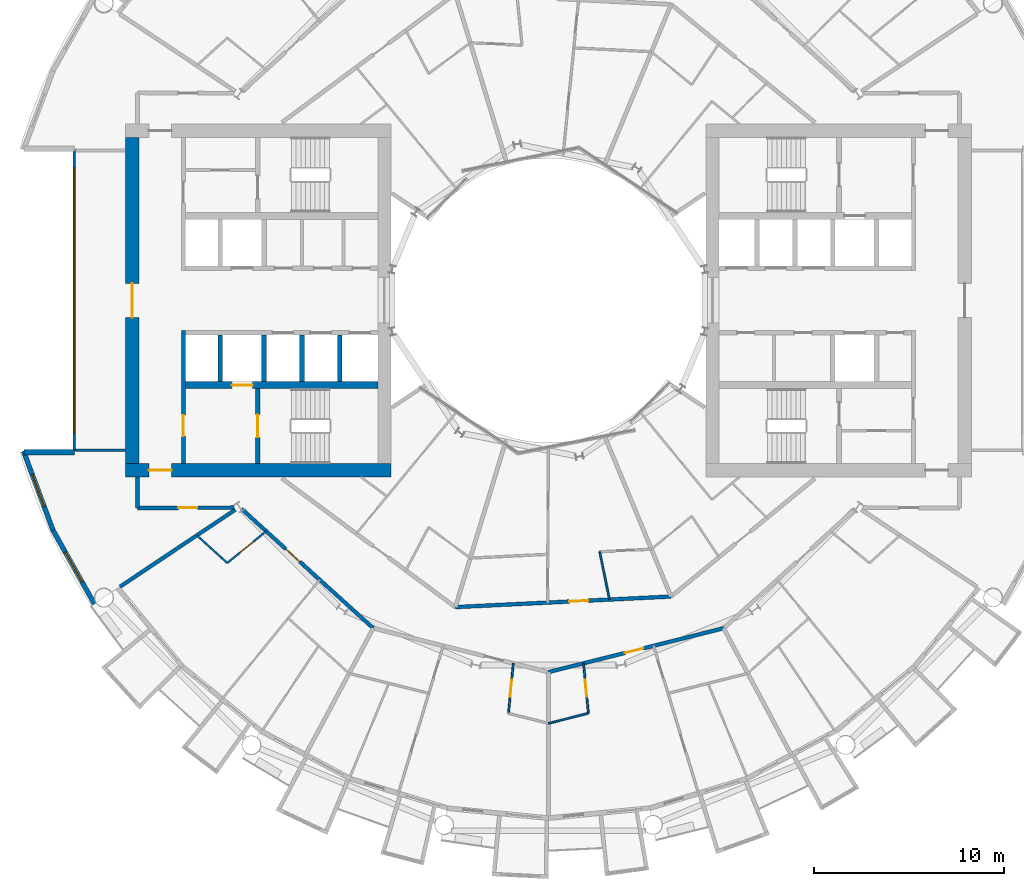
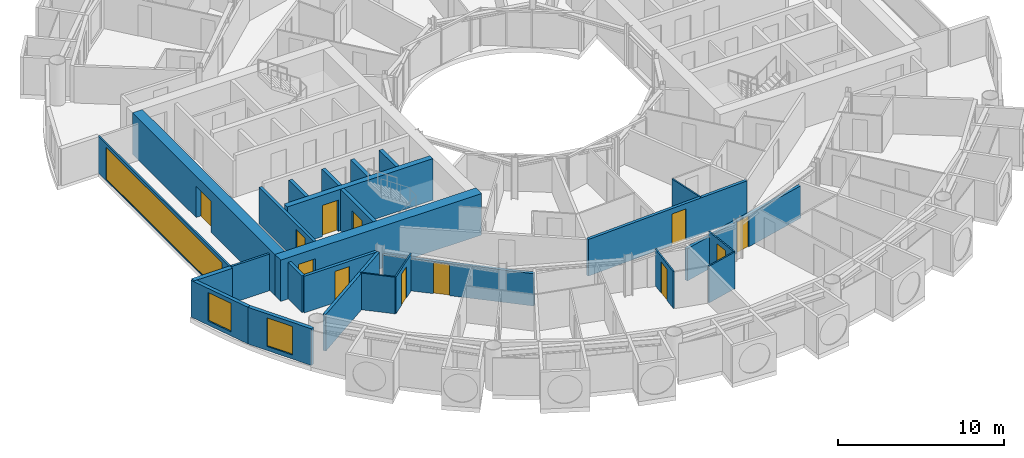
# One storey, part 14 of 26: 26 walls, 12 doors, 3 windows, 15 openings.
"""IFC4 building model written with IfcOpenShell, lengths in metres."""

from ifc_helpers import new_model, si_unit, direction, frame, frame_2d, origin, place, context, subcontext, project, spatial, rectangle, extrude, material, layer, layer_set, type_object, element, fill, save


model = new_model("IFC4")

# Units and contexts
model_context = context("Model", 3, precision=1e-05, world=origin(), true_north=direction((0.0, 1.0)))
body_context = subcontext(model_context, "Body", "Model", "MODEL_VIEW")
ifc_project = project(units=[si_unit("LENGTHUNIT", "METRE"), si_unit("AREAUNIT", "SQUARE_METRE"), si_unit("VOLUMEUNIT", "CUBIC_METRE"), si_unit("PLANEANGLEUNIT", "RADIAN"), si_unit("MASSUNIT", "GRAM", prefix="KILO")], contexts=[model_context])

# Site, building, storey
site_placement = place(None, origin())
site = spatial("IfcSite", under=ifc_project, at=site_placement, CompositionType="ELEMENT")
building_placement = place(site_placement, origin())
building = spatial("IfcBuilding", under=site, at=building_placement, Name="Maasbend Ring Residences", CompositionType="ELEMENT")
storey_placement = place(building_placement, frame((0.0, 0.0, 84.949951171875)))
storey = spatial("IfcBuildingStorey", under=building, at=storey_placement, Name="L24", CompositionType="ELEMENT", Elevation=84.949951171875)

# Wall, opening, door
ifc_material_1 = material(Name="Concrete C70/85", Category="concrete")
ifc_layer_1 = layer(ifc_material_1, 0.25)
ifc_layer_set_1 = layer_set([ifc_layer_1], Name="Concrete C70/85")
wall_type_1 = type_object("IfcWallType", Name="CORE WALL 250 C70/85", PredefinedType="SHEAR", material=ifc_layer_set_1)
wall_1_placement = place(storey_placement, frame((-15.324951171875, -4.64990234375, 0.0), z_axis=(0.0, 0.0, 1.0), x_axis=(0.0, -1.0, 0.0)))
wall_1 = element("IfcWall", 1, at=wall_1_placement, inside=storey, type_object=wall_type_1, Name="L24 core W wall STEN", PredefinedType="SHEAR", context=body_context, shape_type="SweptSolid", body=[
    extrude(rectangle(XDim=3.9501953125, YDim=0.25, at=frame_2d((1.97509765625, 0.0))), origin(), (0.0, 0.0, 1.0), 3.050048828125),
])
opening_1_placement = place(wall_1_placement, frame((1.375, 0.0, 0.0)))
opening_1 = element("IfcOpeningElement", 2, at=opening_1_placement, cuts=wall_1, Name="Opening D-W2410", PredefinedType="OPENING", context=body_context, shape_type="SweptSolid", body=[
    extrude(rectangle(XDim=1.199951171875, YDim=2.300048828125, at=frame_2d((0.60009765625, 1.14990234375))), frame((0.0, 0.135009765625, 0.0), z_axis=(0.0, -1.0, 0.0), x_axis=(1.0, 0.0, 0.0)), (0.0, 0.0, 1.0), 0.27001953125),
])
ifc_material_2 = material(Name="Steel, powder coated", Category="steel")
door_type_1 = type_object("IfcDoorType", Name="STAIR DOOR 1200 X 2300 FD60", OperationType="NOTDEFINED", PredefinedType="DOOR", material=ifc_material_2)
door_1_placement = place(opening_1_placement, origin())
door_1 = element("IfcDoor", 3, at=door_1_placement, inside=storey, type_object=door_type_1, Name="Stair door ST-W L24", OperationType="SINGLE_SWING_LEFT", OverallHeight=2.300048828125, OverallWidth=1.199951171875, PredefinedType="DOOR", context=body_context, shape_type="SweptSolid", body=[
    extrude(rectangle(XDim=1.199951171875, YDim=2.300048828125, at=frame_2d((0.60009765625, 1.14990234375))), frame((0.0, 0.02490234375, 0.0), z_axis=(0.0, -1.0, 0.0), x_axis=(1.0, 0.0, 0.0)), (0.0, 0.0, 1.0), 0.050048828125),
])
fill(opening_1, door_1)

ifc_material_3 = material(Name="Concrete C70/85", Category="concrete")
ifc_layer_2 = layer(ifc_material_3, 0.375)
ifc_layer_set_2 = layer_set([ifc_layer_2], Name="Concrete C70/85")
wall_type_2 = type_object("IfcWallType", Name="CORE WALL 375 C70/85", PredefinedType="SHEAR", material=ifc_layer_set_2)
wall_2_placement = place(storey_placement, frame((-9.0, -4.46240234375, 0.0), z_axis=(0.0, 0.0, 1.0), x_axis=(-1.0, 0.0, 0.0)))
wall_2 = element("IfcWall", 4, at=wall_2_placement, inside=storey, type_object=wall_type_2, Name="L24 core W wall BN", PredefinedType="SHEAR", context=body_context, shape_type="SweptSolid", body=[
    extrude(rectangle(XDim=10.14990234375, YDim=0.375, at=frame_2d((5.074951171875, 0.0))), origin(), (0.0, 0.0, 1.0), 3.050048828125),
])
opening_2_placement = place(wall_2_placement, frame((6.60009765625, 0.0, 0.0)))
opening_2 = element("IfcOpeningElement", 5, at=opening_2_placement, cuts=wall_2, Name="Opening LD-W2404", PredefinedType="OPENING", context=body_context, shape_type="SweptSolid", body=[
    extrude(rectangle(XDim=1.10009765625, YDim=2.300048828125, at=frame_2d((0.550048828125, 1.14990234375))), frame((0.0, 0.197509765625, 0.0), z_axis=(0.0, -1.0, 0.0), x_axis=(1.0, 0.0, 0.0)), (0.0, 0.0, 1.0), 0.39501953125),
])
ifc_material_4 = material(Name="Stainless steel 316", Category="steel")
door_type_2 = type_object("IfcDoorType", Name="LANDING DOOR 1100 X 2300 FD60", OperationType="DOUBLE_DOOR_SLIDING", PredefinedType="DOOR", material=ifc_material_4)
door_2_placement = place(opening_2_placement, origin())
door_2 = element("IfcDoor", 6, at=door_2_placement, inside=storey, type_object=door_type_2, Name="Landing door FF-W L24", OperationType="DOUBLE_DOOR_SLIDING", OverallHeight=2.300048828125, OverallWidth=1.10009765625, PredefinedType="DOOR", context=body_context, shape_type="SweptSolid", body=[
    extrude(rectangle(XDim=1.10009765625, YDim=2.300048828125, at=frame_2d((0.550048828125, 1.14990234375))), frame((0.0, 0.02490234375, 0.0), z_axis=(0.0, -1.0, 0.0), x_axis=(1.0, 0.0, 0.0)), (0.0, 0.0, 1.0), 0.050048828125),
])
fill(opening_2, door_2)

ifc_material_5 = material(Name="Concrete C70/85", Category="concrete")
ifc_layer_3 = layer(ifc_material_5, 0.699951171875)
ifc_layer_set_3 = layer_set([ifc_layer_3], Name="Concrete C70/85")
wall_type_3 = type_object("IfcWallType", Name="CORE WALL 700 C70/85", PredefinedType="SHEAR", material=ifc_layer_set_3)
wall_3_placement = place(storey_placement, frame((-22.300048828125, -8.949951171875, 0.0), z_axis=(0.0, 0.0, 1.0), x_axis=(1.0, 0.0, 0.0)))
wall_3 = element("IfcWall", 7, at=wall_3_placement, inside=storey, type_object=wall_type_3, Name="L24 core W wall PN", PredefinedType="SHEAR", context=body_context, shape_type="SweptSolid", body=[
    extrude(rectangle(XDim=14.0, YDim=0.699951171875, at=frame_2d((7.0, 0.0))), origin(), (0.0, 0.0, 1.0), 3.050048828125),
])
opening_3_placement = place(wall_3_placement, frame((1.22509765625, 0.0, 0.0)))
opening_3 = element("IfcOpeningElement", 8, at=opening_3_placement, cuts=wall_3, Name="Opening D-W2414", PredefinedType="OPENING", context=body_context, shape_type="SweptSolid", body=[
    extrude(rectangle(XDim=1.199951171875, YDim=2.300048828125, at=frame_2d((0.60009765625, 1.14990234375))), frame((0.0, 0.35986328125, 0.0), z_axis=(0.0, -1.0, 0.0), x_axis=(1.0, 0.0, 0.0)), (0.0, 0.0, 1.0), 0.719970703125),
])
ifc_material_6 = material(Name="Steel, powder coated", Category="steel")
door_type_3 = type_object("IfcDoorType", Name="CORRIDOR DOOR 1200 X 2300 FD30S", OperationType="NOTDEFINED", PredefinedType="DOOR", material=ifc_material_6)
door_3_placement = place(opening_3_placement, origin())
door_3 = element("IfcDoor", 9, at=door_3_placement, inside=storey, type_object=door_type_3, Name="Corridor door L24", OperationType="SINGLE_SWING_RIGHT", OverallHeight=2.300048828125, OverallWidth=1.199951171875, PredefinedType="DOOR", context=body_context, shape_type="SweptSolid", body=[
    extrude(rectangle(XDim=1.199951171875, YDim=2.300048828125, at=frame_2d((0.60009765625, 1.14990234375))), frame((0.0, 0.02490234375, 0.0), z_axis=(0.0, -1.0, 0.0), x_axis=(1.0, 0.0, 0.0)), (0.0, 0.0, 1.0), 0.050048828125),
])
fill(opening_3, door_3)

wall_4_placement = place(storey_placement, frame((-21.949951171875, -8.60009765625, 0.0), z_axis=(0.0, 0.0, 1.0), x_axis=(0.0, 1.0, 0.0)))
wall_4 = element("IfcWall", 10, at=wall_4_placement, inside=storey, type_object=wall_type_3, Name="L24 core W wall POUT", PredefinedType="SHEAR", context=body_context, shape_type="SweptSolid", body=[
    extrude(rectangle(XDim=17.2001953125, YDim=0.699951171875, at=frame_2d((8.60009765625, 0.0))), origin(), (0.0, 0.0, 1.0), 3.050048828125),
])
opening_4_placement = place(wall_4_placement, frame((7.699951171875, 0.0, 0.0)))
opening_4 = element("IfcOpeningElement", 11, at=opening_4_placement, cuts=wall_4, Name="Opening D-W2416", PredefinedType="OPENING", context=body_context, shape_type="SweptSolid", body=[
    extrude(rectangle(XDim=1.800048828125, YDim=2.300048828125, at=frame_2d((0.89990234375, 1.14990234375))), frame((0.0, 0.35986328125, 0.0), z_axis=(0.0, -1.0, 0.0), x_axis=(1.0, 0.0, 0.0)), (0.0, 0.0, 1.0), 0.719970703125),
])
ifc_material_7 = material(Name="Aluminium frame, clear glass", Category="aluminium")
door_type_4 = type_object("IfcDoorType", Name="ENTRANCE DOOR 1800 X 2300 FD60", OperationType="NOTDEFINED", PredefinedType="DOOR", material=ifc_material_7)
door_4_placement = place(opening_4_placement, origin())
door_4 = element("IfcDoor", 12, at=door_4_placement, inside=storey, type_object=door_type_4, Name="Lobby glazed door L24", OperationType="SINGLE_SWING_LEFT", OverallHeight=2.300048828125, OverallWidth=1.800048828125, PredefinedType="DOOR", context=body_context, shape_type="SweptSolid", body=[
    extrude(rectangle(XDim=1.800048828125, YDim=2.300048828125, at=frame_2d((0.89990234375, 1.14990234375))), frame((0.0, 0.02490234375, 0.0), z_axis=(0.0, -1.0, 0.0), x_axis=(1.0, 0.0, 0.0)), (0.0, 0.0, 1.0), 0.050048828125),
])
fill(opening_4, door_4)

ifc_material_8 = material(Name="Concrete C30/37", Category="concrete")
ifc_layer_4 = layer(ifc_material_8, 0.199951171875)
ifc_layer_set_4 = layer_set([ifc_layer_4], Name="Concrete C30/37")
wall_type_4 = type_object("IfcWallType", Name="CORRIDOR WALL 200 CONCRETE", PredefinedType="PARTITIONING", material=ifc_layer_set_4)
wall_5_placement = place(storey_placement, frame((-16.178955078125, -10.9951171875, 0.0), z_axis=(0.0, 0.0, 1.0), x_axis=(0.740909940942, -0.671604392044, 0.0)))
wall_5 = element("IfcWall", 13, at=wall_5_placement, inside=storey, type_object=wall_type_4, Name="U-L24-w011", PredefinedType="PARTITIONING", context=body_context, shape_type="SweptSolid", body=[
    extrude(rectangle(XDim=9.36669921875, YDim=0.199951171875, at=frame_2d((4.683349609375, 0.0))), origin(), (0.0, 0.0, 1.0), 2.380126953125),
])
opening_5_placement = place(wall_5_placement, frame((3.152099609375, 0.0, 0.0)))
opening_5 = element("IfcOpeningElement", 14, at=opening_5_placement, cuts=wall_5, Name="Opening D-2433", PredefinedType="OPENING", context=body_context, shape_type="SweptSolid", body=[
    extrude(rectangle(XDim=1.0, YDim=2.300048828125, at=frame_2d((0.5, 1.14990234375))), frame((0.0, 0.10986328125, 0.0), z_axis=(0.0, -1.0, 0.0), x_axis=(1.0, 0.0, 0.0)), (0.0, 0.0, 1.0), 0.219970703125),
])
ifc_material_9 = material(Name="Timber, fire-rated, painted", Category="wood")
door_type_5 = type_object("IfcDoorType", Name="FLAT ENTRANCE DOOR 1000 X 2300 FIRE-RATED", OperationType="NOTDEFINED", PredefinedType="DOOR", material=ifc_material_9)
door_5_placement = place(opening_5_placement, origin())
door_5 = element("IfcDoor", 15, at=door_5_placement, inside=storey, type_object=door_type_5, Name="D-2433", OperationType="SINGLE_SWING_LEFT", OverallHeight=2.300048828125, OverallWidth=1.0, PredefinedType="DOOR", context=body_context, shape_type="SweptSolid", body=[
    extrude(rectangle(XDim=1.0, YDim=2.300048828125, at=frame_2d((0.5, 1.14990234375))), frame((0.0, 0.02490234375, 0.0), z_axis=(0.0, -1.0, 0.0), x_axis=(1.0, 0.0, 0.0)), (0.0, 0.0, 1.0), 0.050048828125),
])
fill(opening_5, door_5)

wall_6_placement = place(storey_placement, frame((0.0, -19.60009765625, 0.0), z_axis=(0.0, 0.0, 1.0), x_axis=(0.970002158938, 0.243096301198, 0.0)))
wall_6 = element("IfcWall", 16, at=wall_6_placement, inside=storey, type_object=wall_type_4, Name="U-L24-w013", PredefinedType="PARTITIONING", context=body_context, shape_type="SweptSolid", body=[
    extrude(rectangle(XDim=9.52783203125, YDim=0.199951171875, at=frame_2d((4.763916015625, 0.0))), origin(), (0.0, 0.0, 1.0), 2.380126953125),
])
opening_6_placement = place(wall_6_placement, frame((4.155029296875, 0.0, 0.0)))
opening_6 = element("IfcOpeningElement", 17, at=opening_6_placement, cuts=wall_6, Name="Opening D-2443", PredefinedType="OPENING", context=body_context, shape_type="SweptSolid", body=[
    extrude(rectangle(XDim=1.0, YDim=2.300048828125, at=frame_2d((0.5, 1.14990234375))), frame((0.0, 0.10986328125, 0.0), z_axis=(0.0, -1.0, 0.0), x_axis=(1.0, 0.0, 0.0)), (0.0, 0.0, 1.0), 0.219970703125),
])
door_6_placement = place(opening_6_placement, origin())
door_6 = element("IfcDoor", 18, at=door_6_placement, inside=storey, type_object=door_type_5, Name="D-2443", OperationType="SINGLE_SWING_LEFT", OverallHeight=2.300048828125, OverallWidth=1.0, PredefinedType="DOOR", context=body_context, shape_type="SweptSolid", body=[
    extrude(rectangle(XDim=1.0, YDim=2.300048828125, at=frame_2d((0.5, 1.14990234375))), frame((0.0, 0.02490234375, 0.0), z_axis=(0.0, -1.0, 0.0), x_axis=(1.0, 0.0, 0.0)), (0.0, 0.0, 1.0), 0.050048828125),
])
fill(opening_6, door_6)

wall_7_placement = place(storey_placement, frame((-4.906005859375, -16.172119140625, 0.0), z_axis=(0.0, 0.0, 1.0), x_axis=(0.998798520108, 0.049005267363, 0.0)))
wall_7 = element("IfcWall", 19, at=wall_7_placement, inside=storey, type_object=wall_type_4, Name="U-L24-w017", PredefinedType="PARTITIONING", context=body_context, shape_type="SweptSolid", body=[
    extrude(rectangle(XDim=11.388671875, YDim=0.199951171875, at=frame_2d((5.6943359375, 0.0))), origin(), (0.0, 0.0, 1.0), 2.699951171875),
])
opening_7_placement = place(wall_7_placement, frame((6.008056640625, 0.0, 0.0)))
opening_7 = element("IfcOpeningElement", 20, at=opening_7_placement, cuts=wall_7, Name="Opening D-2457", PredefinedType="OPENING", context=body_context, shape_type="SweptSolid", body=[
    extrude(rectangle(XDim=1.0, YDim=2.300048828125, at=frame_2d((0.5, 1.14990234375))), frame((0.0, 0.10986328125, 0.0), z_axis=(0.0, -1.0, 0.0), x_axis=(1.0, 0.0, 0.0)), (0.0, 0.0, 1.0), 0.219970703125),
])
door_7_placement = place(opening_7_placement, origin())
door_7 = element("IfcDoor", 21, at=door_7_placement, inside=storey, type_object=door_type_5, Name="D-2457", OperationType="SINGLE_SWING_RIGHT", OverallHeight=2.300048828125, OverallWidth=1.0, PredefinedType="DOOR", context=body_context, shape_type="SweptSolid", body=[
    extrude(rectangle(XDim=1.0, YDim=2.300048828125, at=frame_2d((0.5, 1.14990234375))), frame((0.0, 0.02490234375, 0.0), z_axis=(0.0, -1.0, 0.0), x_axis=(1.0, 0.0, 0.0)), (0.0, 0.0, 1.0), 0.050048828125),
])
fill(opening_7, door_7)

wall_8_placement = place(storey_placement, frame((-21.675048828125, -10.949951171875, 0.0), z_axis=(0.0, 0.0, 1.0), x_axis=(0.999988019025, 0.004895079807, 0.0)))
wall_8 = element("IfcWall", 22, at=wall_8_placement, inside=storey, type_object=wall_type_4, Name="U-L24-w024", PredefinedType="PARTITIONING", context=body_context, shape_type="SweptSolid", body=[
    extrude(rectangle(XDim=5.087158203125, YDim=0.199951171875, at=frame_2d((2.54345703125, 0.0))), origin(), (0.0, 0.0, 1.0), 2.699951171875),
])
opening_8_placement = place(wall_8_placement, frame((2.1630859375, 0.0, 0.0)))
opening_8 = element("IfcOpeningElement", 23, at=opening_8_placement, cuts=wall_8, Name="Opening D-2465", PredefinedType="OPENING", context=body_context, shape_type="SweptSolid", body=[
    extrude(rectangle(XDim=1.0, YDim=2.300048828125, at=frame_2d((0.5, 1.14990234375))), frame((0.0, 0.10986328125, 0.0), z_axis=(0.0, -1.0, 0.0), x_axis=(1.0, 0.0, 0.0)), (0.0, 0.0, 1.0), 0.219970703125),
])
ifc_material_10 = material(Name="Timber, painted", Category="wood")
door_type_6 = type_object("IfcDoorType", Name="ROOM DOOR 1000 X 2300", OperationType="NOTDEFINED", PredefinedType="DOOR", material=ifc_material_10)
door_8_placement = place(opening_8_placement, origin())
door_8 = element("IfcDoor", 24, at=door_8_placement, inside=storey, type_object=door_type_6, Name="D-2465", OperationType="SINGLE_SWING_RIGHT", OverallHeight=2.300048828125, OverallWidth=1.0, PredefinedType="DOOR", context=body_context, shape_type="SweptSolid", body=[
    extrude(rectangle(XDim=1.0, YDim=2.300048828125, at=frame_2d((0.5, 1.14990234375))), frame((0.0, 0.02490234375, 0.0), z_axis=(0.0, -1.0, 0.0), x_axis=(1.0, 0.0, 0.0)), (0.0, 0.0, 1.0), 0.050048828125),
])
fill(opening_8, door_8)

# Wall
wall_9_placement = place(storey_placement, frame((-21.675048828125, -10.949951171875, 0.0), z_axis=(0.0, 0.0, 1.0), x_axis=(0.0, 1.0, 0.0)))
element("IfcWall", 25, at=wall_9_placement, inside=storey, type_object=wall_type_4, Name="U-L24-w107", PredefinedType="PARTITIONING", context=body_context, shape_type="SweptSolid", body=[
    extrude(rectangle(XDim=1.64990234375, YDim=0.199951171875, at=frame_2d((0.824951171875, 0.0))), origin(), (0.0, 0.0, 1.0), 2.699951171875),
])

# Wall, opening, window
ifc_material_11 = material(Name="Aluminium clad insulated panel", Category="aluminium")
ifc_layer_5 = layer(ifc_material_11, 0.25)
ifc_layer_set_5 = layer_set([ifc_layer_5], Name="EW-HORN")
wall_type_5 = type_object("IfcWallType", Name="EW-HORN", PredefinedType="SOLIDWALL", material=ifc_layer_set_5)
wall_10_placement = place(storey_placement, frame((-27.681884765625, -7.945068359375, 0.0), z_axis=(0.0, 0.0, 1.0), x_axis=(0.349247811493, -0.937030397675, 0.0)))
wall_10 = element("IfcWall", 26, at=wall_10_placement, inside=storey, type_object=wall_type_5, Name="Horn wall 3.1", PredefinedType="SOLIDWALL", context=body_context, shape_type="SweptSolid", body=[
    extrude(rectangle(XDim=4.4521484375, YDim=0.25, at=frame_2d((2.22607421875, 0.0))), origin(), (0.0, 0.0, 1.0), 2.699951171875),
])
opening_9_placement = place(wall_10_placement, frame((1.32666015625, 0.0, 0.300048828125)))
opening_9 = element("IfcOpeningElement", 27, at=opening_9_placement, cuts=wall_10, Name="Opening W-BX", PredefinedType="OPENING", context=body_context, shape_type="SweptSolid", body=[
    extrude(rectangle(XDim=1.800048828125, YDim=2.10009765625, at=frame_2d((0.89990234375, 1.050048828125))), frame((0.0, 0.135009765625, 0.0), z_axis=(0.0, -1.0, 0.0), x_axis=(1.0, 0.0, 0.0)), (0.0, 0.0, 1.0), 0.27001953125),
])
ifc_material_12 = material(Name="Aluminium and clear glass", Category="aluminium")
window_type_1 = type_object("IfcWindowType", Name="W-BX", PartitioningType="DOUBLE_PANEL_VERTICAL", PredefinedType="WINDOW", material=ifc_material_12)
window_1_placement = place(opening_9_placement, origin())
window_1 = element("IfcWindow", 28, at=window_1_placement, inside=storey, type_object=window_type_1, Name="Horn window 3.1", OverallHeight=2.10009765625, OverallWidth=1.800048828125, PartitioningType="SINGLE_PANEL", PredefinedType="WINDOW", context=body_context, shape_type="SweptSolid", body=[
    extrude(rectangle(XDim=1.800048828125, YDim=2.10009765625, at=frame_2d((0.89990234375, 1.050048828125))), frame((0.0, 0.030029296875, 0.0), z_axis=(0.0, -1.0, 0.0), x_axis=(1.0, 0.0, 0.0)), (0.0, 0.0, 1.0), 0.06005859375),
])
fill(opening_9, window_1)

wall_11_placement = place(storey_placement, frame((-26.126953125, -12.116943359375, 0.0), z_axis=(0.0, 0.0, 1.0), x_axis=(0.489696356642, -0.871893042919, 0.0)))
wall_11 = element("IfcWall", 29, at=wall_11_placement, inside=storey, type_object=wall_type_5, Name="Horn wall 3.2", PredefinedType="SOLIDWALL", context=body_context, shape_type="SweptSolid", body=[
    extrude(rectangle(XDim=4.45361328125, YDim=0.25, at=frame_2d((2.226806640625, 0.0))), origin(), (0.0, 0.0, 1.0), 2.699951171875),
])
opening_10_placement = place(wall_11_placement, frame((1.32666015625, 0.0, 0.300048828125)))
opening_10 = element("IfcOpeningElement", 30, at=opening_10_placement, cuts=wall_11, Name="Opening W-BX", PredefinedType="OPENING", context=body_context, shape_type="SweptSolid", body=[
    extrude(rectangle(XDim=1.800048828125, YDim=2.10009765625, at=frame_2d((0.89990234375, 1.050048828125))), frame((0.0, 0.135009765625, 0.0), z_axis=(0.0, -1.0, 0.0), x_axis=(1.0, 0.0, 0.0)), (0.0, 0.0, 1.0), 0.27001953125),
])
window_2_placement = place(opening_10_placement, origin())
window_2 = element("IfcWindow", 31, at=window_2_placement, inside=storey, type_object=window_type_1, Name="Horn window 3.2", OverallHeight=2.10009765625, OverallWidth=1.800048828125, PartitioningType="SINGLE_PANEL", PredefinedType="WINDOW", context=body_context, shape_type="SweptSolid", body=[
    extrude(rectangle(XDim=1.800048828125, YDim=2.10009765625, at=frame_2d((0.89990234375, 1.050048828125))), frame((0.0, 0.030029296875, 0.0), z_axis=(0.0, -1.0, 0.0), x_axis=(1.0, 0.0, 0.0)), (0.0, 0.0, 1.0), 0.06005859375),
])
fill(opening_10, window_2)

# Wall
ifc_material_13 = material(Name="Aluminium clad insulated panel", Category="aluminium")
ifc_layer_6 = layer(ifc_material_13, 0.300048828125)
ifc_layer_set_6 = layer_set([ifc_layer_6], Name="EW-RET")
wall_type_6 = type_object("IfcWallType", Name="EW-RET", PredefinedType="SOLIDWALL", material=ifc_layer_set_6)
wall_12_placement = place(storey_placement, frame((-25.0, -8.0, 0.0), z_axis=(0.0, 0.0, 1.0), x_axis=(-1.0, 0.0, 0.0)))
element("IfcWall", 32, at=wall_12_placement, inside=storey, type_object=wall_type_6, Name="Notch return wall west south", PredefinedType="SOLIDWALL", context=body_context, shape_type="SweptSolid", body=[
    extrude(rectangle(XDim=2.6669921875, YDim=0.300048828125, at=frame_2d((1.33349609375, 0.0))), origin(), (0.0, 0.0, 1.0), 2.699951171875),
])

# Wall, opening, window
ifc_material_14 = material(Name="Aluminium frame and clear glass", Category="aluminium")
ifc_layer_7 = layer(ifc_material_14, 0.1201171875)
ifc_layer_set_7 = layer_set([ifc_layer_7], Name="GLAZED SCREEN WALL 120 EI 60")
wall_type_7 = type_object("IfcWallType", Name="GLAZED SCREEN WALL 120 EI 60", PredefinedType="PARTITIONING", material=ifc_layer_set_7)
wall_13_placement = place(storey_placement, frame((-25.0, 7.949951171875, 0.0), z_axis=(0.0, 0.0, 1.0), x_axis=(0.0, -1.0, 0.0)))
wall_13 = element("IfcWall", 33, at=wall_13_placement, inside=storey, type_object=wall_type_7, Name="L24 core W wall FACE", PredefinedType="PARTITIONING", context=body_context, shape_type="SweptSolid", body=[
    extrude(rectangle(XDim=15.89990234375, YDim=0.1201171875, at=frame_2d((7.949951171875, 0.0))), origin(), (0.0, 0.0, 1.0), 2.699951171875),
])
opening_11_placement = place(wall_13_placement, frame((0.949951171875, 0.0, 0.10009765625)))
opening_11 = element("IfcOpeningElement", 34, at=opening_11_placement, cuts=wall_13, Name="Opening W-W2402", PredefinedType="OPENING", context=body_context, shape_type="SweptSolid", body=[
    extrude(rectangle(XDim=14.0, YDim=2.35009765625, at=frame_2d((7.0, 1.175048828125))), frame((0.0, 0.070068359375, 0.0), z_axis=(0.0, -1.0, 0.0), x_axis=(1.0, 0.0, 0.0)), (0.0, 0.0, 1.0), 0.14013671875),
])
ifc_material_15 = material(Name="Aluminium frame and clear glass", Category="aluminium")
window_type_2 = type_object("IfcWindowType", Name="FIXED WINDOW 14000 X 2350", PartitioningType="SINGLE_PANEL", PredefinedType="WINDOW", material=ifc_material_15)
window_3_placement = place(opening_11_placement, origin())
window_3 = element("IfcWindow", 35, at=window_3_placement, inside=storey, type_object=window_type_2, Name="Lobby window L24", OverallHeight=2.35009765625, OverallWidth=14.0, PartitioningType="SINGLE_PANEL", PredefinedType="WINDOW", context=body_context, shape_type="SweptSolid", body=[
    extrude(rectangle(XDim=14.0, YDim=2.35009765625, at=frame_2d((7.0, 1.175048828125))), frame((0.0, 0.030029296875, 0.0), z_axis=(0.0, -1.0, 0.0), x_axis=(1.0, 0.0, 0.0)), (0.0, 0.0, 1.0), 0.06005859375),
])
fill(opening_11, window_3)

# Walls
ifc_material_16 = material(Name="Gypsum board on steel studs", Category="steel")
ifc_layer_8 = layer(ifc_material_16, 0.10009765625)
ifc_layer_set_8 = layer_set([ifc_layer_8], Name="PARTITION 100 GYPSUM")
wall_type_8 = type_object("IfcWallType", Name="PARTITION 100 GYPSUM", PredefinedType="PARTITIONING", material=ifc_layer_set_8)
wall_14_placement = place(storey_placement, frame((-18.5419921875, -12.388916015625, 0.0), z_axis=(0.0, 0.0, 1.0), x_axis=(0.740836325503, -0.671685595212, 0.0)))
element("IfcWall", 36, at=wall_14_placement, inside=storey, type_object=wall_type_8, Name="U-L24-w003", PredefinedType="PARTITIONING", context=body_context, shape_type="SweptSolid", body=[
    extrude(rectangle(XDim=2.167724609375, YDim=0.10009765625, at=frame_2d((1.083984375, 0.0))), origin(), (0.0, 0.0, 1.0), 2.699951171875),
])
wall_15_placement = place(storey_placement, frame((-0.006103515625, -22.301025390625, 0.0), z_axis=(0.0, 0.0, 1.0), x_axis=(0.969969957613, 0.24322475476, 0.0)))
element("IfcWall", 37, at=wall_15_placement, inside=storey, type_object=wall_type_8, Name="U-L24-w007", PredefinedType="PARTITIONING", context=body_context, shape_type="SweptSolid", body=[
    extrude(rectangle(XDim=2.167236328125, YDim=0.10009765625, at=frame_2d((1.08349609375, 0.0))), origin(), (0.0, 0.0, 1.0), 2.699951171875),
])

# Wall, opening, door
wall_16_placement = place(storey_placement, frame((-16.93603515625, -13.844970703125, 0.0), z_axis=(0.0, 0.0, 1.0), x_axis=(0.774162545943, 0.632986850147, 0.0)))
wall_16 = element("IfcWall", 38, at=wall_16_placement, inside=storey, type_object=wall_type_8, Name="U-L24-w032", PredefinedType="PARTITIONING", context=body_context, shape_type="SweptSolid", body=[
    extrude(rectangle(XDim=2.6494140625, YDim=0.10009765625, at=frame_2d((1.32470703125, 0.0))), origin(), (0.0, 0.0, 1.0), 2.699951171875),
])
opening_12_placement = place(wall_16_placement, frame((0.875, 0.0, 0.0)))
opening_12 = element("IfcOpeningElement", 39, at=opening_12_placement, cuts=wall_16, Name="Opening D-2434", PredefinedType="OPENING", context=body_context, shape_type="SweptSolid", body=[
    extrude(rectangle(XDim=0.89990234375, YDim=2.300048828125, at=frame_2d((0.449951171875, 1.14990234375))), frame((0.0, 0.06005859375, 0.0), z_axis=(0.0, -1.0, 0.0), x_axis=(1.0, 0.0, 0.0)), (0.0, 0.0, 1.0), 0.1201171875),
])
ifc_material_17 = material(Name="Timber, painted", Category="wood")
door_type_7 = type_object("IfcDoorType", Name="INTERNAL DOOR 900 X 2300", OperationType="NOTDEFINED", PredefinedType="DOOR", material=ifc_material_17)
door_9_placement = place(opening_12_placement, origin())
door_9 = element("IfcDoor", 40, at=door_9_placement, inside=storey, type_object=door_type_7, Name="D-2434", OperationType="SINGLE_SWING_LEFT", OverallHeight=2.300048828125, OverallWidth=0.89990234375, PredefinedType="DOOR", context=body_context, shape_type="SweptSolid", body=[
    extrude(rectangle(XDim=0.89990234375, YDim=2.300048828125, at=frame_2d((0.449951171875, 1.14990234375))), frame((0.0, 0.02490234375, 0.0), z_axis=(0.0, -1.0, 0.0), x_axis=(1.0, 0.0, 0.0)), (0.0, 0.0, 1.0), 0.050048828125),
])
fill(opening_12, door_9)

wall_17_placement = place(storey_placement, frame((-2.10693359375, -21.77197265625, 0.0), z_axis=(0.0, 0.0, 1.0), x_axis=(0.09627998515, 0.995354290923, 0.0)))
wall_17 = element("IfcWall", 41, at=wall_17_placement, inside=storey, type_object=wall_type_8, Name="U-L24-w050", PredefinedType="PARTITIONING", context=body_context, shape_type="SweptSolid", body=[
    extrude(rectangle(XDim=2.647216796875, YDim=0.10009765625, at=frame_2d((1.32373046875, 0.0))), origin(), (0.0, 0.0, 1.0), 2.699951171875),
])
opening_13_placement = place(wall_17_placement, frame((0.8740234375, 0.0, 0.0)))
opening_13 = element("IfcOpeningElement", 42, at=opening_13_placement, cuts=wall_17, Name="Opening D-2439", PredefinedType="OPENING", context=body_context, shape_type="SweptSolid", body=[
    extrude(rectangle(XDim=0.89990234375, YDim=2.300048828125, at=frame_2d((0.449951171875, 1.14990234375))), frame((0.0, 0.06005859375, 0.0), z_axis=(0.0, -1.0, 0.0), x_axis=(1.0, 0.0, 0.0)), (0.0, 0.0, 1.0), 0.1201171875),
])
door_10_placement = place(opening_13_placement, origin())
door_10 = element("IfcDoor", 43, at=door_10_placement, inside=storey, type_object=door_type_7, Name="D-2439", OperationType="SINGLE_SWING_LEFT", OverallHeight=2.300048828125, OverallWidth=0.89990234375, PredefinedType="DOOR", context=body_context, shape_type="SweptSolid", body=[
    extrude(rectangle(XDim=0.89990234375, YDim=2.300048828125, at=frame_2d((0.449951171875, 1.14990234375))), frame((0.0, 0.02490234375, 0.0), z_axis=(0.0, -1.0, 0.0), x_axis=(1.0, 0.0, 0.0)), (0.0, 0.0, 1.0), 0.050048828125),
])
fill(opening_13, door_10)

wall_18_placement = place(storey_placement, frame((1.85205078125, -19.136962890625, 0.0), z_axis=(0.0, 0.0, 1.0), x_axis=(0.09627998515, -0.995354290923, 0.0)))
wall_18 = element("IfcWall", 44, at=wall_18_placement, inside=storey, type_object=wall_type_8, Name="U-L24-w056", PredefinedType="PARTITIONING", context=body_context, shape_type="SweptSolid", body=[
    extrude(rectangle(XDim=2.647216796875, YDim=0.10009765625, at=frame_2d((1.32373046875, 0.0))), origin(), (0.0, 0.0, 1.0), 2.699951171875),
])
opening_14_placement = place(wall_18_placement, frame((0.8740234375, 0.0, 0.0)))
opening_14 = element("IfcOpeningElement", 45, at=opening_14_placement, cuts=wall_18, Name="Opening D-2444", PredefinedType="OPENING", context=body_context, shape_type="SweptSolid", body=[
    extrude(rectangle(XDim=0.89990234375, YDim=2.300048828125, at=frame_2d((0.449951171875, 1.14990234375))), frame((0.0, 0.06005859375, 0.0), z_axis=(0.0, -1.0, 0.0), x_axis=(1.0, 0.0, 0.0)), (0.0, 0.0, 1.0), 0.1201171875),
])
door_11_placement = place(opening_14_placement, origin())
door_11 = element("IfcDoor", 46, at=door_11_placement, inside=storey, type_object=door_type_7, Name="D-2444", OperationType="SINGLE_SWING_RIGHT", OverallHeight=2.300048828125, OverallWidth=0.89990234375, PredefinedType="DOOR", context=body_context, shape_type="SweptSolid", body=[
    extrude(rectangle(XDim=0.89990234375, YDim=2.300048828125, at=frame_2d((0.449951171875, 1.14990234375))), frame((0.0, 0.02490234375, 0.0), z_axis=(0.0, -1.0, 0.0), x_axis=(1.0, 0.0, 0.0)), (0.0, 0.0, 1.0), 0.050048828125),
])
fill(opening_14, door_11)

# Walls
wall_19_placement = place(storey_placement, frame((2.7041015625, -13.2529296875, 0.0), z_axis=(0.0, 0.0, 1.0), x_axis=(0.199820523641, -0.979832515449, 0.0)))
element("IfcWall", 47, at=wall_19_placement, inside=storey, type_object=wall_type_8, Name="U-L24-w058", PredefinedType="PARTITIONING", context=body_context, shape_type="SweptSolid", body=[
    extrude(rectangle(XDim=2.57177734375, YDim=0.10009765625, at=frame_2d((1.285888671875, 0.0))), origin(), (0.0, 0.0, 1.0), 2.699951171875),
])
ifc_material_18 = material(Name="Gypsum board on steel studs", Category="steel")
ifc_layer_9 = layer(ifc_material_18, 0.14990234375)
ifc_layer_set_9 = layer_set([ifc_layer_9], Name="PARTITION 150 EI 60")
wall_type_9 = type_object("IfcWallType", Name="PARTITION 150 EI 60", PredefinedType="PARTITIONING", material=ifc_layer_set_9)
wall_20_placement = place(storey_placement, frame((-22.300048828125, -7.89990234375, 0.0), z_axis=(0.0, 0.0, 1.0), x_axis=(-1.0, 0.0, 0.0)))
element("IfcWall", 48, at=wall_20_placement, inside=storey, type_object=wall_type_9, Name="L24 core W wall CITN", PredefinedType="PARTITIONING", context=body_context, shape_type="SweptSolid", body=[
    extrude(rectangle(XDim=2.639892578125, YDim=0.14990234375, at=frame_2d((1.31982421875, 0.0))), origin(), (0.0, 0.0, 1.0), 2.699951171875),
])
ifc_material_19 = material(Name="Concrete C30/37", Category="concrete")
ifc_layer_10 = layer(ifc_material_19, 0.199951171875)
ifc_layer_set_10 = layer_set([ifc_layer_10], Name="Concrete C30/37")
wall_type_10 = type_object("IfcWallType", Name="PARTY WALL 200 CONCRETE", PredefinedType="PARTITIONING", material=ifc_layer_set_10)
wall_21_placement = place(storey_placement, frame((-22.594970703125, -15.096923828125, 0.0), z_axis=(0.0, 0.0, 1.0), x_axis=(0.831505405283, 0.555516661303, 0.0)))
element("IfcWall", 49, at=wall_21_placement, inside=storey, type_object=wall_type_10, Name="U-L24-w028", PredefinedType="PARTITIONING", context=body_context, shape_type="SweptSolid", body=[
    extrude(rectangle(XDim=7.31201171875, YDim=0.199951171875, at=frame_2d((3.656005859375, 0.0))), origin(), (0.0, 0.0, 1.0), 2.699951171875),
])

# Wall, opening, door
ifc_material_20 = material(Name="Concrete C30/37", Category="concrete")
ifc_layer_11 = layer(ifc_material_20, 0.199951171875)
ifc_layer_set_11 = layer_set([ifc_layer_11], Name="Concrete C30/37")
wall_type_11 = type_object("IfcWallType", Name="SHAFT WALL 200 EI 120", PredefinedType="SOLIDWALL", material=ifc_layer_set_11)
wall_22_placement = place(storey_placement, frame((-19.25, -1.574951171875, 0.0), z_axis=(0.0, 0.0, 1.0), x_axis=(0.0, -1.0, 0.0)))
wall_22 = element("IfcWall", 50, at=wall_22_placement, inside=storey, type_object=wall_type_11, Name="L24 core W wall ENDN", PredefinedType="SOLIDWALL", context=body_context, shape_type="SweptSolid", body=[
    extrude(rectangle(XDim=7.025146484375, YDim=0.199951171875, at=frame_2d((3.5126953125, 0.0))), origin(), (0.0, 0.0, 1.0), 2.699951171875),
])
opening_15_placement = place(wall_22_placement, frame((4.47509765625, 0.0, 0.0)))
opening_15 = element("IfcOpeningElement", 51, at=opening_15_placement, cuts=wall_22, Name="Opening D-W2412", PredefinedType="OPENING", context=body_context, shape_type="SweptSolid", body=[
    extrude(rectangle(XDim=1.10009765625, YDim=2.300048828125, at=frame_2d((0.550048828125, 1.14990234375))), frame((0.0, 0.10986328125, 0.0), z_axis=(0.0, -1.0, 0.0), x_axis=(1.0, 0.0, 0.0)), (0.0, 0.0, 1.0), 0.219970703125),
])
ifc_material_21 = material(Name="Steel, powder coated", Category="steel")
door_type_8 = type_object("IfcDoorType", Name="LOBBY DOOR 1100 X 2300 FD60", OperationType="NOTDEFINED", PredefinedType="DOOR", material=ifc_material_21)
door_12_placement = place(opening_15_placement, origin())
door_12 = element("IfcDoor", 52, at=door_12_placement, inside=storey, type_object=door_type_8, Name="Lobby door L24", OperationType="SINGLE_SWING_LEFT", OverallHeight=2.300048828125, OverallWidth=1.10009765625, PredefinedType="DOOR", context=body_context, shape_type="SweptSolid", body=[
    extrude(rectangle(XDim=1.10009765625, YDim=2.300048828125, at=frame_2d((0.550048828125, 1.14990234375))), frame((0.0, 0.02490234375, 0.0), z_axis=(0.0, -1.0, 0.0), x_axis=(1.0, 0.0, 0.0)), (0.0, 0.0, 1.0), 0.050048828125),
])
fill(opening_15, door_12)

# Walls
ifc_material_22 = material(Name="Concrete C30/37", Category="concrete")
ifc_layer_12 = layer(ifc_material_22, 0.25)
ifc_layer_set_12 = layer_set([ifc_layer_12], Name="Concrete C30/37")
wall_type_12 = type_object("IfcWallType", Name="SHAFT WALL 250 EI 120", PredefinedType="SOLIDWALL", material=ifc_layer_set_12)
for number, where, z_axis, x_axis, name in (
    (53, (-15.0, -1.824951171875, 0.0), (0.0, 0.0, 1.0), (0.0, -1.0, 0.0), "L24 core W wall D150N"),
    (54, (-17.300048828125, -1.824951171875, 0.0), (0.0, 0.0, 1.0), (0.0, -1.0, 0.0), "L24 core W wall D173N"),
    (55, (-11.0, -1.824951171875, 0.0), (0.0, 0.0, 1.0), (0.0, -1.0, 0.0), "L24 core W wall D110N"),
    (56, (-13.0, -1.824951171875, 0.0), (0.0, 0.0, 1.0), (0.0, -1.0, 0.0), "L24 core W wall D130N"),
):
    element("IfcWall", number, at=place(storey_placement, frame(where, z_axis=z_axis, x_axis=x_axis)), inside=storey, type_object=wall_type_12, Name=name, PredefinedType="SOLIDWALL", context=body_context, shape_type="SweptSolid", body=[
        extrude(rectangle(XDim=2.449951171875, YDim=0.25, at=frame_2d((1.22509765625, 0.0))), origin(), (0.0, 0.0, 1.0), 2.699951171875),
    ])

save(model, "model.ifc")
